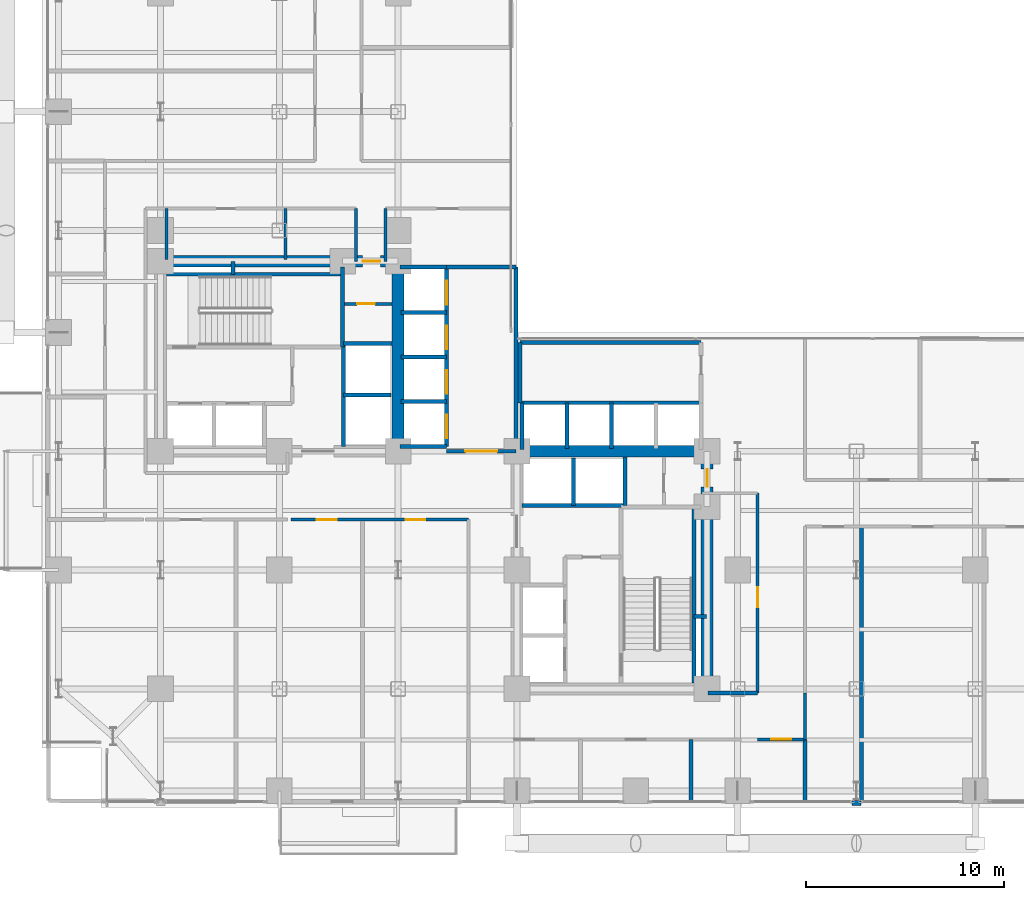
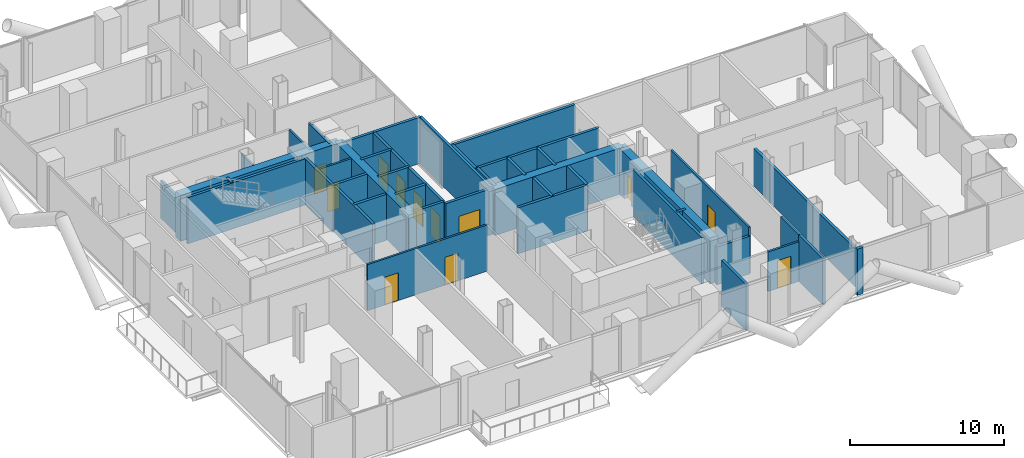
# One storey, part 21 of 25: 44 walls, 12 doors, 12 openings.
"""IFC4 building model written with IfcOpenShell, lengths in metres."""

from ifc_helpers import new_model, si_unit, direction, frame, frame_2d, origin, place, context, subcontext, project, spatial, rectangle, extrude, material, layer, layer_set, type_object, element, fill, save


model = new_model("IFC4")

# Units and contexts
model_context = context("Model", 3, precision=1e-05, world=origin(), true_north=direction((0.0, 1.0)))
body_context = subcontext(model_context, "Body", "Model", "MODEL_VIEW")
ifc_project = project(units=[si_unit("LENGTHUNIT", "METRE"), si_unit("AREAUNIT", "SQUARE_METRE"), si_unit("VOLUMEUNIT", "CUBIC_METRE"), si_unit("PLANEANGLEUNIT", "RADIAN"), si_unit("MASSUNIT", "GRAM", prefix="KILO"), si_unit("THERMODYNAMICTEMPERATUREUNIT", "KELVIN"), si_unit("POWERUNIT", "WATT")], contexts=[model_context])

# Site, building, storey
site_placement = place(None, origin())
site = spatial("IfcSite", under=ifc_project, at=site_placement, CompositionType="ELEMENT")
building_placement = place(site_placement, origin())
building = spatial("IfcBuilding", under=site, at=building_placement, Name="Svarakhadi Broadcast Tower", CompositionType="ELEMENT")
storey_placement = place(building_placement, frame((0.0, 0.0, 67.5)))
storey = spatial("IfcBuildingStorey", under=building, at=storey_placement, Name="L15", CompositionType="ELEMENT", Elevation=67.5)

# Walls
ifc_material_1 = material(Name="Double-Stud Acoustic Studio Partition STC-62", Category="gypsum")
ifc_layer_1 = layer(ifc_material_1, 0.199951171875)
ifc_layer_set_1 = layer_set([ifc_layer_1], Name="Double-Stud Acoustic Studio Partition STC-62")
wall_type_1 = type_object("IfcWallType", Name="Wall_Acoust_200", PredefinedType="PARTITIONING", material=ifc_layer_set_1)
wall_1_placement = place(storey_placement, frame((41.39990234375, 0.300048828125, 0.0), z_axis=(0.0, 0.0, 1.0), x_axis=(0.0, 1.0, 0.0)))
element("IfcWall", 1, at=wall_1_placement, inside=storey, type_object=wall_type_1, Name="L15 Harbour Terrace Espresso Bistro Wall", PredefinedType="PARTITIONING", context=body_context, shape_type="SweptSolid", body=[
    extrude(rectangle(XDim=13.89990234375, YDim=0.199951171875, at=frame_2d((6.949951171875, 0.0))), origin(), (0.0, 0.0, 1.0), 2.991943359375),
])
for number, where, z_axis, x_axis, name in (
    (2, (32.800048828125, 0.300048828125, 0.0), (0.0, 0.0, 1.0), (0.0, 1.0, 0.0), "L15 Media Legal Review Office Wall"),
    (3, (38.550048828125, 0.300048828125, 0.0), (0.0, 0.0, 1.0), (0.0, 1.0, 0.0), "L15 Broadcast Staff Refreshment Pantry Wall"),
):
    element("IfcWall", number, at=place(storey_placement, frame(where, z_axis=z_axis, x_axis=x_axis)), inside=storey, type_object=wall_type_1, Name=name, PredefinedType="PARTITIONING", context=body_context, shape_type="SweptSolid", body=[
        extrude(rectangle(XDim=3.14990234375, YDim=0.199951171875, at=frame_2d((1.574951171875, 0.0))), origin(), (0.0, 0.0, 1.0), 3.64990234375),
    ])
wall_2_placement = place(storey_placement, frame((33.64990234375, 5.800048828125, 0.0), z_axis=(0.0, 0.0, 1.0), x_axis=(1.0, 0.0, 0.0)))
element("IfcWall", 4, at=wall_2_placement, inside=storey, type_object=wall_type_1, Name="L15 Live Feed Monitoring Studio Wall", PredefinedType="PARTITIONING", context=body_context, shape_type="SweptSolid", body=[
    extrude(rectangle(XDim=2.5, YDim=0.199951171875, at=frame_2d((1.25, 0.0))), origin(), (0.0, 0.0, 1.0), 2.991943359375),
])
ifc_material_2 = material(Name="Concrete C40/50 (IS 456 M50)", Category="concrete")
ifc_layer_2 = layer(ifc_material_2, 0.239990234375)
ifc_layer_set_2 = layer_set([ifc_layer_2], Name="Concrete C40/50 (IS 456 M50)")
wall_type_2 = type_object("IfcWallType", Name="Wall_Ext_240", PredefinedType="SOLIDWALL", material=ifc_layer_set_2)
wall_3_placement = place(storey_placement, frame((41.364990234375, 0.239990234375, 0.0), z_axis=(0.0, 0.0, 1.0), x_axis=(-1.0, 0.0, 0.0)))
element("IfcWall", 5, at=wall_3_placement, inside=storey, type_object=wall_type_2, Name="L15 Perimeter Bronze Spandrel Closure Wall 05", PredefinedType="SOLIDWALL", context=body_context, shape_type="SweptSolid", body=[
    extrude(rectangle(XDim=0.429931640625, YDim=0.239990234375, at=frame_2d((0.21484375, 0.0))), origin(), (0.0, 0.0, 1.0), 3.64990234375),
])
ifc_layer_3 = layer(ifc_material_2, 0.199951171875)
ifc_layer_set_3 = layer_set([ifc_layer_3], Name="Concrete C40/50 (IS 456 M50)")
wall_type_3 = type_object("IfcWallType", Name="Wall_Fire_200", PredefinedType="SOLIDWALL", material=ifc_layer_set_3)
for number, where, z_axis, x_axis, name in (
    (6, (9.659912109375, 26.93994140625, 0.0), (0.0, 0.0, 1.0), (0.0, 1.0, 0.0), "L15 Wet Riser Shaft East Wall"),
    (7, (32.93994140625, 9.659912109375, 0.0), (0.0, 0.0, 1.0), (1.0, 0.0, 0.0), "L15 HV Busduct Riser Shaft North Wall"),
):
    element("IfcWall", number, at=place(storey_placement, frame(where, z_axis=z_axis, x_axis=x_axis)), inside=storey, type_object=wall_type_3, Name=name, PredefinedType="SOLIDWALL", context=body_context, shape_type="SweptSolid", body=[
        extrude(rectangle(XDim=0.64013671875, YDim=0.199951171875, at=frame_2d((0.320068359375, 0.0))), origin(), (0.0, 0.0, 1.0), 3.64990234375),
    ])

# Wall, opening, door
ifc_material_3 = material(Name="Autoclaved Aerated Concrete Blockwork 150 mm", Category="masonry")
ifc_layer_4 = layer(ifc_material_3, 0.14990234375)
ifc_layer_set_4 = layer_set([ifc_layer_4], Name="Autoclaved Aerated Concrete Blockwork 150 mm")
wall_type_4 = type_object("IfcWallType", Name="Wall_Part_150", PredefinedType="PARTITIONING", material=ifc_layer_set_4)
wall_4_placement = place(storey_placement, frame((15.280029296875, 25.43994140625, 0.0), z_axis=(0.0, 0.0, 1.0), x_axis=(1.0, 0.0, 0.0)))
wall_4 = element("IfcWall", 8, at=wall_4_placement, inside=storey, type_object=wall_type_4, Name="L15 West Core Dual Store Wall", PredefinedType="PARTITIONING", context=body_context, shape_type="SweptSolid", body=[
    extrude(rectangle(XDim=2.419921875, YDim=0.14990234375, at=frame_2d((1.2099609375, 0.0))), origin(), (0.0, 0.0, 1.0), 3.64990234375),
])
opening_1_placement = place(wall_4_placement, frame((0.64990234375, 0.0, 0.0)))
opening_1 = element("IfcOpeningElement", 9, at=opening_1_placement, cuts=wall_4, Name="Opening D-03", PredefinedType="OPENING", context=body_context, shape_type="SweptSolid", body=[
    extrude(rectangle(XDim=0.89990234375, YDim=2.14990234375, at=frame_2d((0.449951171875, 1.074951171875))), frame((0.0, 0.0849609375, 0.0), z_axis=(0.0, -1.0, 0.0), x_axis=(1.0, 0.0, 0.0)), (0.0, 0.0, 1.0), 0.169921875),
])
ifc_material_4 = material(Name="Galvanised Powder-Coated Fire-Rated Steel Leaf", Category="steel")
door_type_1 = type_object("IfcDoorType", Name="Door_Fire_D03", OperationType="SINGLE_SWING_LEFT", PredefinedType="DOOR", material=ifc_material_4)
door_1_placement = place(opening_1_placement, origin())
door_1 = element("IfcDoor", 10, at=door_1_placement, inside=storey, type_object=door_type_1, Name="L15 West Core Store B Door", OperationType="SINGLE_SWING_LEFT", OverallHeight=2.14990234375, OverallWidth=0.89990234375, PredefinedType="DOOR", context=body_context, shape_type="SweptSolid", body=[
    extrude(rectangle(XDim=0.89990234375, YDim=2.14990234375, at=frame_2d((0.449951171875, 1.074951171875))), frame((0.0, 0.02490234375, 0.0), z_axis=(0.0, -1.0, 0.0), x_axis=(1.0, 0.0, 0.0)), (0.0, 0.0, 1.0), 0.050048828125),
])
fill(opening_1, door_1)

wall_5_placement = place(storey_placement, frame((36.14990234375, 5.800048828125, 0.0), z_axis=(0.0, 0.0, 1.0), x_axis=(0.0, 1.0, 0.0)))
wall_5 = element("IfcWall", 11, at=wall_5_placement, inside=storey, type_object=wall_type_4, Name="L15 Broadcast Corridor Wall", PredefinedType="PARTITIONING", context=body_context, shape_type="SweptSolid", body=[
    extrude(rectangle(XDim=10.079833984375, YDim=0.14990234375, at=frame_2d((5.0400390625, 0.0))), origin(), (0.0, 0.0, 1.0), 3.64990234375),
])
opening_2_placement = place(wall_5_placement, frame((4.330078125, 0.0, 0.0)))
opening_2 = element("IfcOpeningElement", 12, at=opening_2_placement, cuts=wall_5, Name="Opening D-08", PredefinedType="OPENING", context=body_context, shape_type="SweptSolid", body=[
    extrude(rectangle(XDim=1.0, YDim=2.199951171875, at=frame_2d((0.5, 1.10009765625))), frame((0.0, 0.0849609375, 0.0), z_axis=(0.0, -1.0, 0.0), x_axis=(1.0, 0.0, 0.0)), (0.0, 0.0, 1.0), 0.169921875),
])
ifc_material_5 = material(Name="Solid-Core Teak Veneer Acoustic Timber Leaf", Category="wood")
door_type_2 = type_object("IfcDoorType", Name="Door_Suite_D08", OperationType="SINGLE_SWING_LEFT", PredefinedType="DOOR", material=ifc_material_5)
door_2_placement = place(opening_2_placement, origin())
door_2 = element("IfcDoor", 13, at=door_2_placement, inside=storey, type_object=door_type_2, Name="L15 Live Feed Monitoring Studio Door", OperationType="SINGLE_SWING_LEFT", OverallHeight=2.199951171875, OverallWidth=1.0, PredefinedType="DOOR", context=body_context, shape_type="SweptSolid", body=[
    extrude(rectangle(XDim=1.0, YDim=2.199951171875, at=frame_2d((0.5, 1.10009765625))), frame((0.0, 0.02490234375, 0.0), z_axis=(0.0, -1.0, 0.0), x_axis=(1.0, 0.0, 0.0)), (0.0, 0.0, 1.0), 0.050048828125),
])
fill(opening_2, door_2)

# Wall
wall_6_placement = place(storey_placement, frame((38.550048828125, 5.800048828125, 0.0), z_axis=(0.0, 0.0, 1.0), x_axis=(0.0, -1.0, 0.0)))
element("IfcWall", 14, at=wall_6_placement, inside=storey, type_object=wall_type_4, Name="L15 Broadcast Corridor Wall", PredefinedType="PARTITIONING", context=body_context, shape_type="SweptSolid", body=[
    extrude(rectangle(XDim=2.35009765625, YDim=0.14990234375, at=frame_2d((1.175048828125, 0.0))), origin(), (0.0, 0.0, 1.0), 3.64990234375),
])

# Wall, opening, door
wall_7_placement = place(storey_placement, frame((38.550048828125, 3.449951171875, 0.0), z_axis=(0.0, 0.0, 1.0), x_axis=(-1.0, 0.0, 0.0)))
wall_7 = element("IfcWall", 15, at=wall_7_placement, inside=storey, type_object=wall_type_4, Name="L15 Broadcast Corridor Wall", PredefinedType="PARTITIONING", context=body_context, shape_type="SweptSolid", body=[
    extrude(rectangle(XDim=2.400146484375, YDim=0.14990234375, at=frame_2d((1.2001953125, 0.0))), origin(), (0.0, 0.0, 1.0), 3.14208984375),
])
opening_3_placement = place(wall_7_placement, frame((0.699951171875, 0.0, 0.0)))
opening_3 = element("IfcOpeningElement", 16, at=opening_3_placement, cuts=wall_7, Name="Opening D-08", PredefinedType="OPENING", context=body_context, shape_type="SweptSolid", body=[
    extrude(rectangle(XDim=1.0, YDim=2.199951171875, at=frame_2d((0.5, 1.10009765625))), frame((0.0, 0.0849609375, 0.0), z_axis=(0.0, -1.0, 0.0), x_axis=(1.0, 0.0, 0.0)), (0.0, 0.0, 1.0), 0.169921875),
])
door_3_placement = place(opening_3_placement, origin())
door_3 = element("IfcDoor", 17, at=door_3_placement, inside=storey, type_object=door_type_2, Name="L15 Broadcast Staff Refreshment Pantry Door", OperationType="SINGLE_SWING_LEFT", OverallHeight=2.199951171875, OverallWidth=1.0, PredefinedType="DOOR", context=body_context, shape_type="SweptSolid", body=[
    extrude(rectangle(XDim=1.0, YDim=2.199951171875, at=frame_2d((0.5, 1.10009765625))), frame((0.0, 0.02490234375, 0.0), z_axis=(0.0, -1.0, 0.0), x_axis=(1.0, 0.0, 0.0)), (0.0, 0.0, 1.0), 0.050048828125),
])
fill(opening_3, door_3)

# Wall, openings, doors
wall_8_placement = place(storey_placement, frame((21.550048828125, 14.550048828125, 0.0), z_axis=(0.0, 0.0, 1.0), x_axis=(-1.0, 0.0, 0.0)))
wall_8 = element("IfcWall", 18, at=wall_8_placement, inside=storey, type_object=wall_type_4, Name="L15 Broadcast Corridor Wall", PredefinedType="PARTITIONING", context=body_context, shape_type="SweptSolid", body=[
    extrude(rectangle(XDim=8.949951171875, YDim=0.14990234375, at=frame_2d((4.47509765625, 0.0))), origin(), (0.0, 0.0, 1.0), 3.64990234375),
])
opening_4_placement = place(wall_8_placement, frame((6.64990234375, 0.0, 0.0)))
opening_4 = element("IfcOpeningElement", 19, at=opening_4_placement, cuts=wall_8, Name="Opening D-09", PredefinedType="OPENING", context=body_context, shape_type="SweptSolid", body=[
    extrude(rectangle(XDim=1.0, YDim=2.199951171875, at=frame_2d((0.5, 1.10009765625))), frame((0.0, 0.0849609375, 0.0), z_axis=(0.0, -1.0, 0.0), x_axis=(1.0, 0.0, 0.0)), (0.0, 0.0, 1.0), 0.169921875),
])
opening_5_placement = place(wall_8_placement, frame((2.175048828125, 0.0, 0.0)))
opening_5 = element("IfcOpeningElement", 20, at=opening_5_placement, cuts=wall_8, Name="Opening D-08", PredefinedType="OPENING", context=body_context, shape_type="SweptSolid", body=[
    extrude(rectangle(XDim=1.0, YDim=2.199951171875, at=frame_2d((0.5, 1.10009765625))), frame((0.0, 0.0849609375, 0.0), z_axis=(0.0, -1.0, 0.0), x_axis=(1.0, 0.0, 0.0)), (0.0, 0.0, 1.0), 0.169921875),
])
door_4_placement = place(opening_5_placement, origin())
door_4 = element("IfcDoor", 21, at=door_4_placement, inside=storey, type_object=door_type_2, Name="L15 Cold Larder Store Door", OperationType="SINGLE_SWING_LEFT", OverallHeight=2.199951171875, OverallWidth=1.0, PredefinedType="DOOR", context=body_context, shape_type="SweptSolid", body=[
    extrude(rectangle(XDim=1.0, YDim=2.199951171875, at=frame_2d((0.5, 1.10009765625))), frame((0.0, 0.02490234375, 0.0), z_axis=(0.0, -1.0, 0.0), x_axis=(1.0, 0.0, 0.0)), (0.0, 0.0, 1.0), 0.050048828125),
])
fill(opening_5, door_4)
door_type_3 = type_object("IfcDoorType", Name="Door_Suite_D09", OperationType="SINGLE_SWING_RIGHT", PredefinedType="DOOR", material=ifc_material_5)
door_5_placement = place(opening_4_placement, origin())
door_5 = element("IfcDoor", 22, at=door_5_placement, inside=storey, type_object=door_type_3, Name="L15 Central Commercial Catering Kitchen Door", OperationType="SINGLE_SWING_RIGHT", OverallHeight=2.199951171875, OverallWidth=1.0, PredefinedType="DOOR", context=body_context, shape_type="SweptSolid", body=[
    extrude(rectangle(XDim=1.0, YDim=2.199951171875, at=frame_2d((0.5, 1.10009765625))), frame((0.0, 0.02490234375, 0.0), z_axis=(0.0, -1.0, 0.0), x_axis=(1.0, 0.0, 0.0)), (0.0, 0.0, 1.0), 0.050048828125),
])
fill(opening_4, door_5)

# Walls
for number, where, z_axis, x_axis, name in (
    (23, (17.35009765625, 30.25, 0.0), (0.0, 0.0, 1.0), (0.0, -1.0, 0.0), "L15 Broadcast Corridor Wall"),
    (24, (15.8798828125, 27.580078125, 0.0), (0.0, 0.0, 1.0), (0.0, 1.0, 0.0), "L15 Broadcast Corridor Wall"),
):
    element("IfcWall", number, at=place(storey_placement, frame(where, z_axis=z_axis, x_axis=x_axis)), inside=storey, type_object=wall_type_4, Name=name, PredefinedType="PARTITIONING", context=body_context, shape_type="SweptSolid", body=[
        extrude(rectangle(XDim=2.669921875, YDim=0.14990234375, at=frame_2d((1.3349609375, 0.0))), origin(), (0.0, 0.0, 1.0), 3.64990234375),
    ])
for number, where, z_axis, x_axis, name in (
    (25, (6.300048828125, 27.679931640625, 0.0), (0.0, 0.0, 1.0), (0.0, 1.0, 0.0), "L15 Accessible Toilet WC Wall"),
    (26, (12.300048828125, 27.679931640625, 0.0), (0.0, 0.0, 1.0), (0.0, 1.0, 0.0), "L15 Accessible Toilet WC Wall"),
):
    element("IfcWall", number, at=place(storey_placement, frame(where, z_axis=z_axis, x_axis=x_axis)), inside=storey, type_object=wall_type_4, Name=name, PredefinedType="PARTITIONING", context=body_context, shape_type="SweptSolid", body=[
        extrude(rectangle(XDim=2.570068359375, YDim=0.14990234375, at=frame_2d((1.28515625, 0.0))), origin(), (0.0, 0.0, 1.0), 2.991943359375),
    ])
ifc_material_6 = material(Name="Concrete C50/60 (IS 456 M60)", Category="concrete")
ifc_layer_5 = layer(ifc_material_6, 0.199951171875)
ifc_layer_set_5 = layer_set([ifc_layer_5], Name="Concrete C50/60 (IS 456 M60)")
wall_type_5 = type_object("IfcWallType", Name="Wall_Shear_200", PredefinedType="SHEAR", material=ifc_layer_set_5)
wall_9_placement = place(storey_placement, frame((6.300048828125, 26.93994140625, 0.0), z_axis=(0.0, 0.0, 1.0), x_axis=(1.0, 0.0, 0.0)))
element("IfcWall", 27, at=wall_9_placement, inside=storey, type_object=wall_type_5, Name="L15 Stair ST-01 North RC Shaft Wall", PredefinedType="SHEAR", context=body_context, shape_type="SweptSolid", body=[
    extrude(rectangle(XDim=8.8798828125, YDim=0.199951171875, at=frame_2d((4.43994140625, 0.0))), origin(), (0.0, 0.0, 1.0), 3.64990234375),
])
wall_10_placement = place(storey_placement, frame((15.179931640625, 23.260009765625, 0.0), z_axis=(0.0, 0.0, 1.0), x_axis=(0.0, 1.0, 0.0)))
element("IfcWall", 28, at=wall_10_placement, inside=storey, type_object=wall_type_5, Name="L15 Stair ST-01 East RC Shaft Wall", PredefinedType="SHEAR", context=body_context, shape_type="SweptSolid", body=[
    extrude(rectangle(XDim=4.0400390625, YDim=0.199951171875, at=frame_2d((2.02001953125, 0.0))), origin(), (0.0, 0.0, 1.0), 3.64990234375),
])
wall_11_placement = place(storey_placement, frame((32.93994140625, 6.300048828125, 0.0), z_axis=(0.0, 0.0, 1.0), x_axis=(0.0, 1.0, 0.0)))
element("IfcWall", 29, at=wall_11_placement, inside=storey, type_object=wall_type_5, Name="L15 Stair ST-02 East RC Shaft Wall", PredefinedType="SHEAR", context=body_context, shape_type="SweptSolid", body=[
    extrude(rectangle(XDim=8.8798828125, YDim=0.199951171875, at=frame_2d((4.43994140625, 0.0))), origin(), (0.0, 0.0, 1.0), 3.64990234375),
])
wall_12_placement = place(storey_placement, frame((15.25, 18.25, 0.0), z_axis=(0.0, 0.0, 1.0), x_axis=(0.0, 1.0, 0.0)))
element("IfcWall", 30, at=wall_12_placement, inside=storey, type_object=wall_type_5, Name="L15 High-Rise Lift LF-13/14 West Shaft Wall", PredefinedType="SHEAR", context=body_context, shape_type="SweptSolid", body=[
    extrude(rectangle(XDim=5.199951171875, YDim=0.199951171875, at=frame_2d((2.60009765625, 0.0))), origin(), (0.0, 0.0, 1.0), 3.64990234375),
])
wall_13_placement = place(storey_placement, frame((15.25, 20.85009765625, 0.0), z_axis=(0.0, 0.0, 1.0), x_axis=(1.0, 0.0, 0.0)))
element("IfcWall", 31, at=wall_13_placement, inside=storey, type_object=wall_type_5, Name="L15 High-Rise Lift LF-13/14 Divider", PredefinedType="SHEAR", context=body_context, shape_type="SweptSolid", body=[
    extrude(rectangle(XDim=2.39990234375, YDim=0.199951171875, at=frame_2d((1.199951171875, 0.0))), origin(), (0.0, 0.0, 1.0), 3.64990234375),
])
wall_14_placement = place(storey_placement, frame((15.25, 23.449951171875, 0.0), z_axis=(0.0, 0.0, 1.0), x_axis=(1.0, 0.0, 0.0)))
element("IfcWall", 32, at=wall_14_placement, inside=storey, type_object=wall_type_5, Name="L15 High-Rise Lift LF-13/14 North Wall", PredefinedType="SHEAR", context=body_context, shape_type="SweptSolid", body=[
    extrude(rectangle(XDim=2.449951171875, YDim=0.199951171875, at=frame_2d((1.22509765625, 0.0))), origin(), (0.0, 0.0, 1.0), 3.64990234375),
])
wall_15_placement = place(storey_placement, frame((24.25, 15.25, 0.0), z_axis=(0.0, 0.0, 1.0), x_axis=(1.0, 0.0, 0.0)))
element("IfcWall", 33, at=wall_15_placement, inside=storey, type_object=wall_type_5, Name="L15 High-Rise Lift LF-15/16 South Shaft Wall", PredefinedType="SHEAR", context=body_context, shape_type="SweptSolid", body=[
    extrude(rectangle(XDim=5.199951171875, YDim=0.199951171875, at=frame_2d((2.60009765625, 0.0))), origin(), (0.0, 0.0, 1.0), 3.64990234375),
])
wall_16_placement = place(storey_placement, frame((26.85009765625, 15.25, 0.0), z_axis=(0.0, 0.0, 1.0), x_axis=(0.0, 1.0, 0.0)))
element("IfcWall", 34, at=wall_16_placement, inside=storey, type_object=wall_type_5, Name="L15 High-Rise Lift LF-15/16 Divider", PredefinedType="SHEAR", context=body_context, shape_type="SweptSolid", body=[
    extrude(rectangle(XDim=2.39990234375, YDim=0.199951171875, at=frame_2d((1.199951171875, 0.0))), origin(), (0.0, 0.0, 1.0), 3.64990234375),
])
wall_17_placement = place(storey_placement, frame((29.449951171875, 15.25, 0.0), z_axis=(0.0, 0.0, 1.0), x_axis=(0.0, 1.0, 0.0)))
element("IfcWall", 35, at=wall_17_placement, inside=storey, type_object=wall_type_5, Name="L15 High-Rise Lift LF-15/16 East Wall", PredefinedType="SHEAR", context=body_context, shape_type="SweptSolid", body=[
    extrude(rectangle(XDim=2.449951171875, YDim=0.199951171875, at=frame_2d((1.22509765625, 0.0))), origin(), (0.0, 0.0, 1.0), 3.64990234375),
])
for number, where, z_axis, x_axis, name in (
    (36, (18.10009765625, 27.300048828125, 0.0), (0.0, 0.0, 1.0), (1.0, 0.0, 0.0), "L15 Bank A North Shaft Wall"),
    (37, (18.10009765625, 18.25, 0.0), (0.0, 0.0, 1.0), (1.0, 0.0, 0.0), "L15 Bank A South Shaft Wall"),
):
    element("IfcWall", number, at=place(storey_placement, frame(where, z_axis=z_axis, x_axis=x_axis)), inside=storey, type_object=wall_type_5, Name=name, PredefinedType="SHEAR", context=body_context, shape_type="SweptSolid", body=[
        extrude(rectangle(XDim=2.349853515625, YDim=0.199951171875, at=frame_2d((1.1748046875, 0.0))), origin(), (0.0, 0.0, 1.0), 3.64990234375),
    ])

# Wall, openings, doors
wall_18_placement = place(storey_placement, frame((20.449951171875, 18.25, 0.0), z_axis=(0.0, 0.0, 1.0), x_axis=(0.0, 1.0, 0.0)))
wall_18 = element("IfcWall", 38, at=wall_18_placement, inside=storey, type_object=wall_type_5, Name="L15 Bank A East Landing Wall", PredefinedType="SHEAR", context=body_context, shape_type="SweptSolid", body=[
    extrude(rectangle(XDim=9.050048828125, YDim=0.199951171875, at=frame_2d((4.52490234375, 0.0))), origin(), (0.0, 0.0, 1.0), 3.64990234375),
])
opening_6_placement = place(wall_18_placement, frame((0.39990234375, 0.0, 0.0)))
opening_6 = element("IfcOpeningElement", 39, at=opening_6_placement, cuts=wall_18, Name="Opening LD-02", PredefinedType="OPENING", context=body_context, shape_type="SweptSolid", body=[
    extrude(rectangle(XDim=1.199951171875, YDim=2.199951171875, at=frame_2d((0.60009765625, 1.10009765625))), frame((0.0, 0.10986328125, 0.0), z_axis=(0.0, -1.0, 0.0), x_axis=(1.0, 0.0, 0.0)), (0.0, 0.0, 1.0), 0.219970703125),
])
opening_7_placement = place(wall_18_placement, frame((2.64990234375, 0.0, 0.0)))
opening_7 = element("IfcOpeningElement", 40, at=opening_7_placement, cuts=wall_18, Name="Opening LD-02", PredefinedType="OPENING", context=body_context, shape_type="SweptSolid", body=[
    extrude(rectangle(XDim=1.199951171875, YDim=2.199951171875, at=frame_2d((0.60009765625, 1.10009765625))), frame((0.0, 0.10986328125, 0.0), z_axis=(0.0, -1.0, 0.0), x_axis=(1.0, 0.0, 0.0)), (0.0, 0.0, 1.0), 0.219970703125),
])
opening_8_placement = place(wall_18_placement, frame((4.89990234375, 0.0, 0.0)))
opening_8 = element("IfcOpeningElement", 41, at=opening_8_placement, cuts=wall_18, Name="Opening LD-02", PredefinedType="OPENING", context=body_context, shape_type="SweptSolid", body=[
    extrude(rectangle(XDim=1.199951171875, YDim=2.199951171875, at=frame_2d((0.60009765625, 1.10009765625))), frame((0.0, 0.10986328125, 0.0), z_axis=(0.0, -1.0, 0.0), x_axis=(1.0, 0.0, 0.0)), (0.0, 0.0, 1.0), 0.219970703125),
])
opening_9_placement = place(wall_18_placement, frame((7.14990234375, 0.0, 0.0)))
opening_9 = element("IfcOpeningElement", 42, at=opening_9_placement, cuts=wall_18, Name="Opening LD-02", PredefinedType="OPENING", context=body_context, shape_type="SweptSolid", body=[
    extrude(rectangle(XDim=1.199951171875, YDim=2.199951171875, at=frame_2d((0.60009765625, 1.10009765625))), frame((0.0, 0.10986328125, 0.0), z_axis=(0.0, -1.0, 0.0), x_axis=(1.0, 0.0, 0.0)), (0.0, 0.0, 1.0), 0.219970703125),
])
door_type_4 = type_object("IfcDoorType", Name="Door_Lift_LD02", OperationType="SLIDING_TO_RIGHT", PredefinedType="DOOR", material=ifc_material_4)
door_6_placement = place(opening_6_placement, origin())
door_6 = element("IfcDoor", 43, at=door_6_placement, inside=storey, type_object=door_type_4, Name="L15 Low-Rise Lift LF-05 Landing Door", OperationType="SLIDING_TO_RIGHT", OverallHeight=2.199951171875, OverallWidth=1.199951171875, PredefinedType="DOOR", context=body_context, shape_type="SweptSolid", body=[
    extrude(rectangle(XDim=1.199951171875, YDim=2.199951171875, at=frame_2d((0.60009765625, 1.10009765625))), frame((0.0, 0.02490234375, 0.0), z_axis=(0.0, -1.0, 0.0), x_axis=(1.0, 0.0, 0.0)), (0.0, 0.0, 1.0), 0.050048828125),
])
fill(opening_6, door_6)
door_7_placement = place(opening_7_placement, origin())
door_7 = element("IfcDoor", 44, at=door_7_placement, inside=storey, type_object=door_type_4, Name="L15 Low-Rise Lift LF-06 Landing Door", OperationType="SLIDING_TO_RIGHT", OverallHeight=2.199951171875, OverallWidth=1.199951171875, PredefinedType="DOOR", context=body_context, shape_type="SweptSolid", body=[
    extrude(rectangle(XDim=1.199951171875, YDim=2.199951171875, at=frame_2d((0.60009765625, 1.10009765625))), frame((0.0, 0.02490234375, 0.0), z_axis=(0.0, -1.0, 0.0), x_axis=(1.0, 0.0, 0.0)), (0.0, 0.0, 1.0), 0.050048828125),
])
fill(opening_7, door_7)
door_8_placement = place(opening_8_placement, origin())
door_8 = element("IfcDoor", 45, at=door_8_placement, inside=storey, type_object=door_type_4, Name="L15 Low-Rise Lift LF-07 Landing Door", OperationType="SLIDING_TO_RIGHT", OverallHeight=2.199951171875, OverallWidth=1.199951171875, PredefinedType="DOOR", context=body_context, shape_type="SweptSolid", body=[
    extrude(rectangle(XDim=1.199951171875, YDim=2.199951171875, at=frame_2d((0.60009765625, 1.10009765625))), frame((0.0, 0.02490234375, 0.0), z_axis=(0.0, -1.0, 0.0), x_axis=(1.0, 0.0, 0.0)), (0.0, 0.0, 1.0), 0.050048828125),
])
fill(opening_8, door_8)
door_9_placement = place(opening_9_placement, origin())
door_9 = element("IfcDoor", 46, at=door_9_placement, inside=storey, type_object=door_type_4, Name="L15 Low-Rise Lift LF-08 Landing Door", OperationType="SLIDING_TO_RIGHT", OverallHeight=2.199951171875, OverallWidth=1.199951171875, PredefinedType="DOOR", context=body_context, shape_type="SweptSolid", body=[
    extrude(rectangle(XDim=1.199951171875, YDim=2.199951171875, at=frame_2d((0.60009765625, 1.10009765625))), frame((0.0, 0.02490234375, 0.0), z_axis=(0.0, -1.0, 0.0), x_axis=(1.0, 0.0, 0.0)), (0.0, 0.0, 1.0), 0.050048828125),
])
fill(opening_9, door_9)

# Walls
for number, where, z_axis, x_axis, name in (
    (47, (18.14990234375, 20.52001953125, 0.0), (0.0, 0.0, 1.0), (1.0, 0.0, 0.0), "L15 Bank A Divider"),
    (48, (18.14990234375, 22.77001953125, 0.0), (0.0, 0.0, 1.0), (1.0, 0.0, 0.0), "L15 Bank A Divider"),
    (49, (18.14990234375, 25.02001953125, 0.0), (0.0, 0.0, 1.0), (1.0, 0.0, 0.0), "L15 Bank A Divider"),
):
    element("IfcWall", number, at=place(storey_placement, frame(where, z_axis=z_axis, x_axis=x_axis)), inside=storey, type_object=wall_type_5, Name=name, PredefinedType="SHEAR", context=body_context, shape_type="SweptSolid", body=[
        extrude(rectangle(XDim=2.300048828125, YDim=0.199951171875, at=frame_2d((1.14990234375, 0.0))), origin(), (0.0, 0.0, 1.0), 3.64990234375),
    ])

# Wall, opening, door
wall_19_placement = place(storey_placement, frame((20.449951171875, 18.0, 0.0), z_axis=(0.0, 0.0, 1.0), x_axis=(1.0, 0.0, 0.0)))
wall_19 = element("IfcWall", 50, at=wall_19_placement, inside=storey, type_object=wall_type_5, Name="L15 Bank A Lift Hall South Wall", PredefinedType="SHEAR", context=body_context, shape_type="SweptSolid", body=[
    extrude(rectangle(XDim=3.5, YDim=0.199951171875, at=frame_2d((1.75, 0.0))), origin(), (0.0, 0.0, 1.0), 3.64990234375),
])
opening_10_placement = place(wall_19_placement, frame((0.949951171875, 0.0, 0.0)))
opening_10 = element("IfcOpeningElement", 51, at=opening_10_placement, cuts=wall_19, Name="Opening D-05", PredefinedType="OPENING", context=body_context, shape_type="SweptSolid", body=[
    extrude(rectangle(XDim=1.60009765625, YDim=2.300048828125, at=frame_2d((0.800048828125, 1.14990234375))), frame((0.0, 0.10986328125, 0.0), z_axis=(0.0, -1.0, 0.0), x_axis=(1.0, 0.0, 0.0)), (0.0, 0.0, 1.0), 0.219970703125),
])
ifc_material_7 = material(Name="Anodised Bronze Aluminium AA 6063-T6", Category="aluminium")
door_type_5 = type_object("IfcDoorType", Name="Door_Lobby_D05", OperationType="DOUBLE_DOOR_SLIDING", PredefinedType="DOOR", material=ifc_material_7)
door_10_placement = place(opening_10_placement, origin())
door_10 = element("IfcDoor", 52, at=door_10_placement, inside=storey, type_object=door_type_5, Name="L15 Low-Rise Lift Hall Corridor Door", OperationType="DOUBLE_DOOR_SLIDING", OverallHeight=2.300048828125, OverallWidth=1.60009765625, PredefinedType="DOOR", context=body_context, shape_type="SweptSolid", body=[
    extrude(rectangle(XDim=1.60009765625, YDim=2.300048828125, at=frame_2d((0.800048828125, 1.14990234375))), frame((0.0, 0.02490234375, 0.0), z_axis=(0.0, -1.0, 0.0), x_axis=(1.0, 0.0, 0.0)), (0.0, 0.0, 1.0), 0.050048828125),
])
fill(opening_10, door_10)

# Walls
wall_20_placement = place(storey_placement, frame((20.449951171875, 27.300048828125, 0.0), z_axis=(0.0, 0.0, 1.0), x_axis=(1.0, 0.0, 0.0)))
element("IfcWall", 53, at=wall_20_placement, inside=storey, type_object=wall_type_5, Name="L15 Bank A Lift Hall North Wall", PredefinedType="SHEAR", context=body_context, shape_type="SweptSolid", body=[
    extrude(rectangle(XDim=3.5, YDim=0.199951171875, at=frame_2d((1.75, 0.0))), origin(), (0.0, 0.0, 1.0), 3.64990234375),
])
wall_21_placement = place(storey_placement, frame((23.949951171875, 18.0, 0.0), z_axis=(0.0, 0.0, 1.0), x_axis=(0.0, 1.0, 0.0)))
element("IfcWall", 54, at=wall_21_placement, inside=storey, type_object=wall_type_5, Name="L15 Bank A Lift Hall East Wall", PredefinedType="SHEAR", context=body_context, shape_type="SweptSolid", body=[
    extrude(rectangle(XDim=9.300048828125, YDim=0.199951171875, at=frame_2d((4.64990234375, 0.0))), origin(), (0.0, 0.0, 1.0), 3.64990234375),
])
wall_22_placement = place(storey_placement, frame((24.25, 18.10009765625, 0.0), z_axis=(0.0, 0.0, 1.0), x_axis=(0.0, 1.0, 0.0)))
element("IfcWall", 55, at=wall_22_placement, inside=storey, type_object=wall_type_5, Name="L15 Bank B West Shaft Wall", PredefinedType="SHEAR", context=body_context, shape_type="SweptSolid", body=[
    extrude(rectangle(XDim=2.349853515625, YDim=0.199951171875, at=frame_2d((1.1748046875, 0.0))), origin(), (0.0, 0.0, 1.0), 3.64990234375),
])
wall_23_placement = place(storey_placement, frame((24.25, 20.449951171875, 0.0), z_axis=(0.0, 0.0, 1.0), x_axis=(1.0, 0.0, 0.0)))
element("IfcWall", 56, at=wall_23_placement, inside=storey, type_object=wall_type_5, Name="L15 Bank B North Landing Wall", PredefinedType="SHEAR", context=body_context, shape_type="SweptSolid", body=[
    extrude(rectangle(XDim=9.050048828125, YDim=0.199951171875, at=frame_2d((4.52490234375, 0.0))), origin(), (0.0, 0.0, 1.0), 3.64990234375),
])
for number, where, z_axis, x_axis, name in (
    (57, (26.52001953125, 18.14990234375, 0.0), (0.0, 0.0, 1.0), (0.0, 1.0, 0.0), "L15 Bank B Divider"),
    (58, (28.77001953125, 18.14990234375, 0.0), (0.0, 0.0, 1.0), (0.0, 1.0, 0.0), "L15 Bank B Divider"),
):
    element("IfcWall", number, at=place(storey_placement, frame(where, z_axis=z_axis, x_axis=x_axis)), inside=storey, type_object=wall_type_5, Name=name, PredefinedType="SHEAR", context=body_context, shape_type="SweptSolid", body=[
        extrude(rectangle(XDim=2.300048828125, YDim=0.199951171875, at=frame_2d((1.14990234375, 0.0))), origin(), (0.0, 0.0, 1.0), 3.64990234375),
    ])
wall_24_placement = place(storey_placement, frame((24.14990234375, 23.5, 0.0), z_axis=(0.0, 0.0, 1.0), x_axis=(1.0, 0.0, 0.0)))
element("IfcWall", 59, at=wall_24_placement, inside=storey, type_object=wall_type_5, Name="L15 Bank B Lift Hall North Wall", PredefinedType="SHEAR", context=body_context, shape_type="SweptSolid", body=[
    extrude(rectangle(XDim=9.150146484375, YDim=0.199951171875, at=frame_2d((4.5751953125, 0.0))), origin(), (0.0, 0.0, 1.0), 3.64990234375),
])
wall_25_placement = place(storey_placement, frame((24.14990234375, 20.449951171875, 0.0), z_axis=(0.0, 0.0, 1.0), x_axis=(0.0, 1.0, 0.0)))
element("IfcWall", 60, at=wall_25_placement, inside=storey, type_object=wall_type_5, Name="L15 Bank B Lift Hall West Wall", PredefinedType="SHEAR", context=body_context, shape_type="SweptSolid", body=[
    extrude(rectangle(XDim=3.050048828125, YDim=0.199951171875, at=frame_2d((1.52490234375, 0.0))), origin(), (0.0, 0.0, 1.0), 3.64990234375),
])

# Wall, opening, door
ifc_material_8 = material(Name="Concrete C60/75 (IS 456 M70)", Category="concrete")
ifc_layer_6 = layer(ifc_material_8, 0.60009765625)
ifc_layer_set_6 = layer_set([ifc_layer_6], Name="Concrete C60/75 (IS 456 M70)")
wall_type_6 = type_object("IfcWallType", Name="Wall_Shear_600", PredefinedType="SHEAR", material=ifc_layer_set_6)
wall_26_placement = place(storey_placement, frame((6.0, 27.60009765625, 0.0), z_axis=(0.0, 0.0, 1.0), x_axis=(1.0, 0.0, 0.0)))
wall_26 = element("IfcWall", 61, at=wall_26_placement, inside=storey, type_object=wall_type_6, Name="L15 West Core North Shear Wall", PredefinedType="SHEAR", context=body_context, shape_type="SweptSolid", body=[
    extrude(rectangle(XDim=12.0, YDim=0.60009765625, at=frame_2d((6.0, 0.0))), origin(), (0.0, 0.0, 1.0), 3.64990234375),
])
opening_11_placement = place(wall_26_placement, frame((10.199951171875, 0.0, 0.0)))
opening_11 = element("IfcOpeningElement", 62, at=opening_11_placement, cuts=wall_26, Name="Opening D-04", PredefinedType="OPENING", context=body_context, shape_type="SweptSolid", body=[
    extrude(rectangle(XDim=0.89990234375, YDim=2.14990234375, at=frame_2d((0.449951171875, 1.074951171875))), frame((0.0, 0.31005859375, 0.0), z_axis=(0.0, -1.0, 0.0), x_axis=(1.0, 0.0, 0.0)), (0.0, 0.0, 1.0), 0.6201171875),
])
door_type_6 = type_object("IfcDoorType", Name="Door_Fire_D04", OperationType="SINGLE_SWING_RIGHT", PredefinedType="DOOR", material=ifc_material_4)
door_11_placement = place(opening_11_placement, origin())
door_11 = element("IfcDoor", 63, at=door_11_placement, inside=storey, type_object=door_type_6, Name="L15 West Core Store A Door", OperationType="SINGLE_SWING_RIGHT", OverallHeight=2.14990234375, OverallWidth=0.89990234375, PredefinedType="DOOR", context=body_context, shape_type="SweptSolid", body=[
    extrude(rectangle(XDim=0.89990234375, YDim=2.14990234375, at=frame_2d((0.449951171875, 1.074951171875))), frame((0.0, 0.02490234375, 0.0), z_axis=(0.0, -1.0, 0.0), x_axis=(1.0, 0.0, 0.0)), (0.0, 0.0, 1.0), 0.050048828125),
])
fill(opening_11, door_11)

# Walls
for number, where, z_axis, x_axis, name in (
    (64, (18.0, 18.0, 0.0), (0.0, 0.0, 1.0), (0.0, 1.0, 0.0), "L15 West Core East Shear Wall"),
    (65, (24.0, 18.0, 0.0), (0.0, 0.0, 1.0), (1.0, 0.0, 0.0), "L15 East Core North Shear Wall"),
):
    element("IfcWall", number, at=place(storey_placement, frame(where, z_axis=z_axis, x_axis=x_axis)), inside=storey, type_object=wall_type_6, Name=name, PredefinedType="SHEAR", context=body_context, shape_type="SweptSolid", body=[
        extrude(rectangle(XDim=9.60009765625, YDim=0.60009765625, at=frame_2d((4.800048828125, 0.0))), origin(), (0.0, 0.0, 1.0), 3.64990234375),
    ])

# Wall, opening, door
wall_27_placement = place(storey_placement, frame((33.60009765625, 6.0, 0.0), z_axis=(0.0, 0.0, 1.0), x_axis=(0.0, 1.0, 0.0)))
wall_27 = element("IfcWall", 66, at=wall_27_placement, inside=storey, type_object=wall_type_6, Name="L15 East Core East Shear Wall", PredefinedType="SHEAR", context=body_context, shape_type="SweptSolid", body=[
    extrude(rectangle(XDim=12.0, YDim=0.60009765625, at=frame_2d((6.0, 0.0))), origin(), (0.0, 0.0, 1.0), 3.64990234375),
])
opening_12_placement = place(wall_27_placement, frame((10.199951171875, 0.0, 0.0)))
opening_12 = element("IfcOpeningElement", 67, at=opening_12_placement, cuts=wall_27, Name="Opening D-04", PredefinedType="OPENING", context=body_context, shape_type="SweptSolid", body=[
    extrude(rectangle(XDim=0.89990234375, YDim=2.14990234375, at=frame_2d((0.449951171875, 1.074951171875))), frame((0.0, 0.31005859375, 0.0), z_axis=(0.0, -1.0, 0.0), x_axis=(1.0, 0.0, 0.0)), (0.0, 0.0, 1.0), 0.6201171875),
])
door_12_placement = place(opening_12_placement, origin())
door_12 = element("IfcDoor", 68, at=door_12_placement, inside=storey, type_object=door_type_6, Name="L15 East Core Store A Door", OperationType="SINGLE_SWING_RIGHT", OverallHeight=2.14990234375, OverallWidth=0.89990234375, PredefinedType="DOOR", context=body_context, shape_type="SweptSolid", body=[
    extrude(rectangle(XDim=0.89990234375, YDim=2.14990234375, at=frame_2d((0.449951171875, 1.074951171875))), frame((0.0, 0.02490234375, 0.0), z_axis=(0.0, -1.0, 0.0), x_axis=(1.0, 0.0, 0.0)), (0.0, 0.0, 1.0), 0.050048828125),
])
fill(opening_12, door_12)

save(model, "model.ifc")
